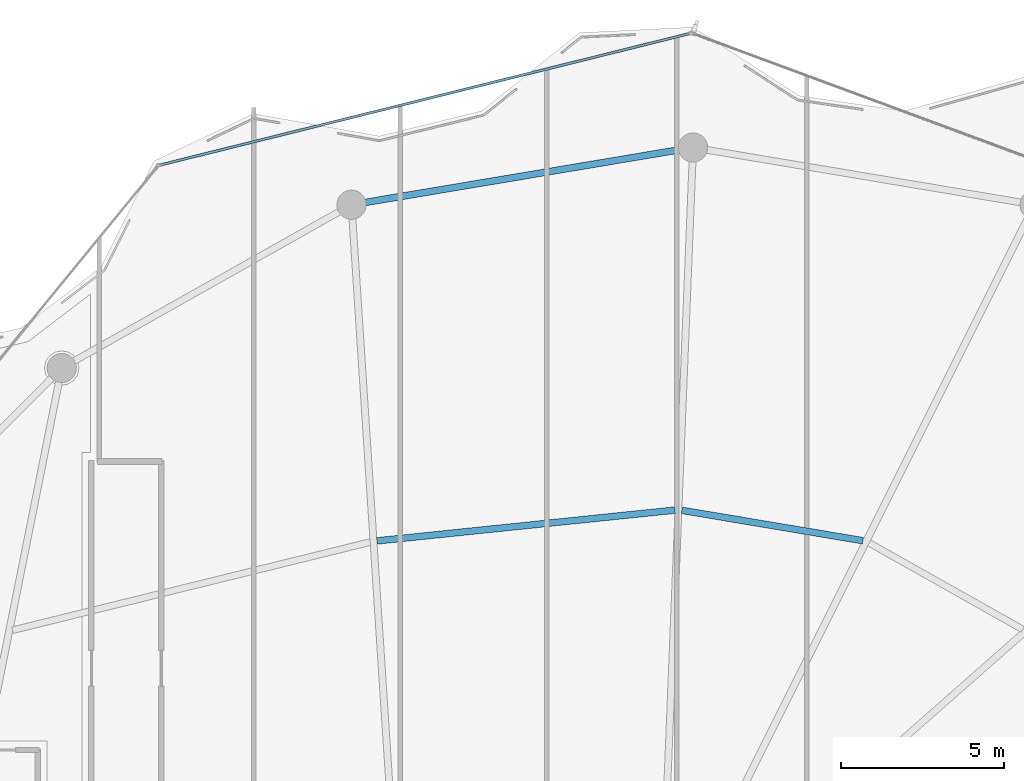
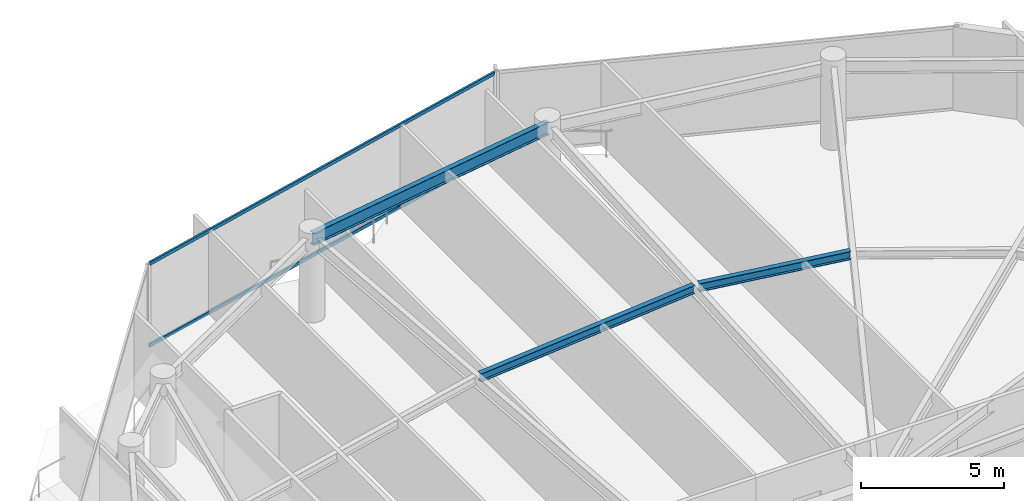
# One storey, part 20 of 29: 3 beams, 2 members, 1 element without a shape of its own.
"""IFC4 building model written with IfcOpenShell, lengths in metres."""

import ifcopenshell
import ifcopenshell.guid

model = None  # the IFC model being written
_history = None  # IfcOwnerHistory: only IFC2X3 demands one
_inside = {}  # id of a spatial element -> (the spatial element, [elements in it])
_under = {}  # id of a project, library or spatial element -> (it, [spatial elements below it])
_declared = {}  # id of a project -> (the project, [libraries it declares])
_typed = {}  # id of a type object -> (the type object, [elements of that type])
_made_of = {}  # id of a material, layer set ... -> (it, [elements and type objects made of it])


def new_model(schema):
    """Start an empty IFC model of exactly this schema.

    Asked for "IFC4X3", IfcOpenShell would pick the latest addendum, in which some entities
    have other attributes; the version numbers below select the first issue.
    IFC2X3 requires an IfcOwnerHistory on every rooted entity: one is made here for all.
    """
    global model, _history
    if schema == "IFC4X3":
        model = ifcopenshell.file(schema_version=(4, 3, 0, 0))
    else:
        model = ifcopenshell.file(schema=schema)
    _inside.clear()
    _under.clear()
    _declared.clear()
    _typed.clear()
    _made_of.clear()
    _history = None
    if model.schema == "IFC2X3":
        org = make("IfcOrganization", Name="unknown")
        user = make(
            "IfcPersonAndOrganization",
            ThePerson=make("IfcPerson", FamilyName="unknown"),
            TheOrganization=org,
        )
        app = make(
            "IfcApplication",
            ApplicationDeveloper=org,
            Version="unknown",
            ApplicationFullName="unknown",
            ApplicationIdentifier="unknown",
        )
        _history = make(
            "IfcOwnerHistory",
            OwningUser=user,
            OwningApplication=app,
            ChangeAction="ADDED",
            CreationDate=0,
        )
    return model


def make(cls, **values):
    """One entity of the class cls with the attributes given. An attribute that is None is left unset."""
    return model.create_entity(
        cls, **{name: value for name, value in values.items() if value is not None}
    )


def rooted(cls, **values):
    """An entity with a GlobalId (a new one), such as an element, a storey or a relation."""
    return make(cls, GlobalId=ifcopenshell.guid.new(), OwnerHistory=_history, **values)


def si_unit(unit_type, name, prefix=None):
    """IfcSIUnit, for example si_unit("LENGTHUNIT", "METRE", prefix="MILLI")."""
    return make("IfcSIUnit", UnitType=unit_type, Prefix=prefix, Name=name)


def assignment(units):
    """IfcUnitAssignment: the units of a project."""
    return None if units is None else make("IfcUnitAssignment", Units=units)


def point(xyz):
    """IfcCartesianPoint."""
    return None if xyz is None else make("IfcCartesianPoint", Coordinates=xyz)


def direction(xyz):
    """IfcDirection."""
    return None if xyz is None else make("IfcDirection", DirectionRatios=xyz)


def frame(location, z_axis=None, x_axis=None):
    """IfcAxis2Placement3D, a coordinate frame: its origin and axes. An axis left out is left unset."""
    return make(
        "IfcAxis2Placement3D",
        Location=point(location),
        Axis=direction(z_axis),
        RefDirection=direction(x_axis),
    )


def frame_2d(location, x_axis=None):
    """IfcAxis2Placement2D, a coordinate frame in the plane: its origin and x axis."""
    return make(
        "IfcAxis2Placement2D", Location=point(location), RefDirection=direction(x_axis)
    )


def origin():
    """The frame at (0, 0, 0) with its axes left unset."""
    return frame((0.0, 0.0, 0.0))


def origin_2d():
    """The frame at (0, 0) in the plane with its x axis left unset."""
    return frame_2d((0.0, 0.0))


def place(relative_to, where):
    """IfcLocalPlacement: puts the frame where relative to a parent placement (None: the world)."""
    return make(
        "IfcLocalPlacement", PlacementRelTo=relative_to, RelativePlacement=where
    )


def context(
    kind, dimensions, precision=None, world=None, true_north=None, identifier=None
):
    """IfcGeometricRepresentationContext, for example the 3D "Model" context."""
    return make(
        "IfcGeometricRepresentationContext",
        ContextIdentifier=identifier,
        ContextType=kind,
        CoordinateSpaceDimension=dimensions,
        Precision=precision,
        WorldCoordinateSystem=world,
        TrueNorth=true_north,
    )


def subcontext(parent, identifier, kind, view, scale=None):
    """IfcGeometricRepresentationSubContext, for example "Body" below "Model"."""
    return make(
        "IfcGeometricRepresentationSubContext",
        ContextIdentifier=identifier,
        ContextType=kind,
        ParentContext=parent,
        TargetScale=scale,
        TargetView=view,
    )


def project(units=None, contexts=None):
    """IfcProject with its units and contexts."""
    return rooted(
        "IfcProject",
        Name="project",
        RepresentationContexts=contexts,
        UnitsInContext=assignment(units),
    )


def spatial(cls, under=None, at=None, **own):
    """A site, building, storey or space (cls), placed at a placement, below another one or the project."""
    s = rooted(cls, ObjectPlacement=at, **own)
    if under is not None:
        _under.setdefault(under.id(), (under, []))[1].append(s)
    return s


def profile(cls, at=None, kind="AREA", **sizes):
    """A parametric profile (cls). Its sizes go by their IFC names, for example OverallWidth=200.0."""
    return make(cls, ProfileType=kind, Position=at, **sizes)


def hollow_rectangle(**sizes):
    """IfcRectangleHollowProfileDef."""
    return profile("IfcRectangleHollowProfileDef", **sizes)


def i_section(**sizes):
    """IfcIShapeProfileDef."""
    return profile("IfcIShapeProfileDef", **sizes)


def extrude(swept, where, along, depth):
    """IfcExtrudedAreaSolid: the profile swept, set in the frame where, extruded along a direction by depth."""
    return make(
        "IfcExtrudedAreaSolid",
        SweptArea=swept,
        Position=where,
        ExtrudedDirection=direction(along),
        Depth=depth,
    )


def shape(context_of_items, identifier, shape_type, items):
    """IfcShapeRepresentation: the items that make up one representation, for example the "Body"."""
    return make(
        "IfcShapeRepresentation",
        ContextOfItems=context_of_items,
        RepresentationIdentifier=identifier,
        RepresentationType=shape_type,
        Items=items,
    )


def material(Name=None, Category=None):
    """IfcMaterial."""
    return make("IfcMaterial", Name=Name, Category=Category)


def layer(
    of_material, thickness, ventilated=None, Name=None, Category=None, Priority=None
):
    """IfcMaterialLayer: one layer of a wall or slab, of a material (None: an air gap)."""
    return make(
        "IfcMaterialLayer",
        Material=of_material,
        LayerThickness=thickness,
        IsVentilated=ventilated,
        Name=Name,
        Category=Category,
        Priority=Priority,
    )


def layer_set(layers, Name=None):
    """IfcMaterialLayerSet."""
    return make("IfcMaterialLayerSet", MaterialLayers=layers, LayerSetName=Name)


def material_profile(
    of_material, cross_section, Name=None, Category=None, Priority=None
):
    """IfcMaterialProfile: a cross section and its material."""
    return make(
        "IfcMaterialProfile",
        Name=Name,
        Material=of_material,
        Profile=cross_section,
        Priority=Priority,
        Category=Category,
    )


def profile_set(profiles, Name=None, composite=None):
    """IfcMaterialProfileSet."""
    return make(
        "IfcMaterialProfileSet",
        Name=Name,
        MaterialProfiles=profiles,
        CompositeProfile=composite,
    )


def made_of(thing, what):
    """Note that an element or type object is made of a material, layer set ...; save() writes the relation."""
    if what is not None:
        _made_of.setdefault(what.id(), (what, []))[1].append(thing)
    return thing


def type_object(cls, material=None, **own):
    """A type object (cls), such as IfcWallType, which elements share."""
    return made_of(rooted(cls, **own), material)


def element(
    cls,
    number,
    at=None,
    inside=None,
    cuts=None,
    type_object=None,
    material=None,
    context=None,
    identifier="Body",
    shape_type=None,
    held_by="IfcProductDefinitionShape",
    body=None,
    shapes=None,
    **own,
):
    """One element of the class cls, such as IfcWall. Its Tag is "e" and its number.

    at: its placement. inside: the storey or other place that contains it. cuts: it is an
    opening in that element (IfcRelVoidsElement). A single representation is given by context,
    identifier, shape_type and body (its items); several are given by shapes. held_by: the class
    of the entity that holds the representations. save() writes the other relations.
    """
    e = rooted(cls, Tag="e%d" % number, ObjectPlacement=at, **own)
    if body is not None:
        shapes = [shape(context, identifier, shape_type, body)]
    if shapes is not None:
        e.Representation = make(held_by, Representations=shapes)
    if inside is not None:
        _inside.setdefault(inside.id(), (inside, []))[1].append(e)
    if cuts is not None:
        rooted(
            "IfcRelVoidsElement", RelatingBuildingElement=cuts, RelatedOpeningElement=e
        )
    if type_object is not None:
        _typed.setdefault(type_object.id(), (type_object, []))[1].append(e)
    return made_of(e, material)


def aggregate(whole, parts):
    """IfcRelAggregates: a whole, such as a stair, and the parts it consists of."""
    return rooted("IfcRelAggregates", RelatingObject=whole, RelatedObjects=parts)


def save(model, path):
    """Write the relations noted so far, then the file.

    IfcRelAggregates (storeys below a building ...), IfcRelContainedInSpatialStructure (elements
    in a storey), IfcRelDefinesByType, IfcRelAssociatesMaterial and IfcRelDeclares: one each for
    every whole, place, type object, material and project.
    """
    for whole, parts in _under.values():
        aggregate(whole, parts)
    for where, things in _inside.values():
        rooted(
            "IfcRelContainedInSpatialStructure",
            RelatedElements=things,
            RelatingStructure=where,
        )
    for kind, things in _typed.values():
        rooted("IfcRelDefinesByType", RelatedObjects=things, RelatingType=kind)
    for what, things in _made_of.values():
        rooted("IfcRelAssociatesMaterial", RelatedObjects=things, RelatingMaterial=what)
    for by, libraries in _declared.values():
        rooted("IfcRelDeclares", RelatingContext=by, RelatedDefinitions=libraries)
    model.write(path)


model = new_model("IFC4")

# Units and contexts
model_context = context("Model", 3, precision=1e-05, world=origin(), true_north=direction((0.0, 1.0)))
body_context = subcontext(model_context, "Body", "Model", "MODEL_VIEW")
ifc_project = project(units=[si_unit("LENGTHUNIT", "METRE"), si_unit("AREAUNIT", "SQUARE_METRE"), si_unit("VOLUMEUNIT", "CUBIC_METRE"), si_unit("PLANEANGLEUNIT", "RADIAN"), si_unit("MASSUNIT", "GRAM", prefix="KILO")], contexts=[model_context])

# Site, building, storey
site_placement = place(None, origin())
site = spatial("IfcSite", under=ifc_project, at=site_placement, CompositionType="ELEMENT")
building_placement = place(site_placement, origin())
building = spatial("IfcBuilding", under=site, at=building_placement, Name="Kazevale Care Tower and Concert Hall", CompositionType="ELEMENT")
storey_placement = place(building_placement, frame((0.0, 0.0, 281.39990234375)))
storey = spatial("IfcBuildingStorey", under=building, at=storey_placement, Name="L74", CompositionType="ELEMENT", Elevation=281.39990234375)

# Curtain wall, members
ifc_material_1 = material(Name="Aluminium 6063-T6 and Low-E Glass", Category="aluminium")
ifc_layer = layer(ifc_material_1, 0.179931640625)
ifc_layer_set = layer_set([ifc_layer], Name="Aluminium 6063-T6 and Low-E Glass")
curtain_wall_type = type_object("IfcCurtainWallType", Name="Waist & Upper Residential Curtain Wall CW-4", PredefinedType="NOTDEFINED", material=ifc_layer_set)
curtain_wall_placement = place(storey_placement, origin())
curtain_wall = element("IfcCurtainWall", 1, at=curtain_wall_placement, inside=storey, type_object=curtain_wall_type, Name="cw:L74:f15", PredefinedType="NOTDEFINED")
ifc_material_2 = material(Name="Aluminium 6063-T6", Category="aluminium")
ifc_material_profile_1 = material_profile(ifc_material_2, hollow_rectangle(XDim=0.080078125, YDim=0.139892578125, WallThickness=0.00390625, at=origin_2d()), Name="ALU80x140x4")
ifc_profile_set_1 = profile_set([ifc_material_profile_1], Name="Aluminium 6063-T6")
member_type = type_object("IfcMemberType", Name="CW-4 Transom ALU80x140x4", PredefinedType="USERDEFINED", material=ifc_profile_set_1)
member_1_placement = place(storey_placement, frame((28.638671875, 60.6181640625, 0.0400390625), z_axis=(0.970550647027, 0.240897159709, 0.0), x_axis=(-0.240897159709, 0.970550647027, 0.0)))
member_1 = element("IfcMember", 2, at=member_1_placement, type_object=member_type, Name="CW-4 transom 1.1", ObjectType="TRANSOM", PredefinedType="USERDEFINED", context=body_context, shape_type="SweptSolid", body=[
    extrude(hollow_rectangle(XDim=0.080078125, YDim=0.139892578125, WallThickness=0.00390625, at=origin_2d()), origin(), (0.0, 0.0, 1.0), 16.727294921875),
])
member_2_placement = place(storey_placement, frame((28.638671875, 60.6181640625, 3.52001953125), z_axis=(0.970550647027, 0.240897159709, 0.0), x_axis=(-0.240897159709, 0.970550647027, 0.0)))
member_2 = element("IfcMember", 3, at=member_2_placement, type_object=member_type, Name="CW-4 transom 1.2", ObjectType="TRANSOM", PredefinedType="USERDEFINED", context=body_context, shape_type="SweptSolid", body=[
    extrude(hollow_rectangle(XDim=0.080078125, YDim=0.139892578125, WallThickness=0.00390625, at=origin_2d()), origin(), (0.0, 0.0, 1.0), 16.727294921875),
])
aggregate(curtain_wall, [member_1, member_2])

# Beams
ifc_material_3 = material(Name="Steel ASTM A572 Gr 50", Category="steel")
ifc_material_profile_2 = material_profile(ifc_material_3, i_section(OverallWidth=0.205078125, OverallDepth=0.35400390625, WebThickness=0.009521484375, FlangeThickness=0.016845703125, at=origin_2d()), Name="W360x79")
ifc_profile_set_2 = profile_set([ifc_material_profile_2], Name="Steel ASTM A572 Gr 50")
beam_type_1 = type_object("IfcBeamType", Name="Secondary Floor Joist W360x79", PredefinedType="JOIST", material=ifc_profile_set_2)
beam_1_placement = place(storey_placement, frame((50.220947265625, 49.06201171875, 3.383056640625), z_axis=(-0.986241534462, 0.165310724705, 0.0), x_axis=(-0.165310724705, -0.986241534462, 0.0)))
element("IfcBeam", 4, at=beam_1_placement, inside=storey, type_object=beam_type_1, Name="beam:L74:joist:04", PredefinedType="JOIST", context=body_context, shape_type="SweptSolid", body=[
    extrude(i_section(OverallWidth=0.205078125, OverallDepth=0.35400390625, WebThickness=0.009521484375, FlangeThickness=0.016845703125, at=origin_2d()), origin(), (0.0, 0.0, 1.0), 5.64453125),
])
beam_2_placement = place(storey_placement, frame((44.446044921875, 50.001953125, 3.383056640625), z_axis=(-0.994706089671, -0.10276086401, 0.0), x_axis=(0.10276086401, -0.994706089671, 0.0)))
element("IfcBeam", 5, at=beam_2_placement, inside=storey, type_object=beam_type_1, Name="beam:L74:joist:05", PredefinedType="JOIST", context=body_context, shape_type="SweptSolid", body=[
    extrude(i_section(OverallWidth=0.205078125, OverallDepth=0.35400390625, WebThickness=0.009521484375, FlangeThickness=0.016845703125, at=origin_2d()), origin(), (0.0, 0.0, 1.0), 9.2158203125),
])
ifc_material_profile_3 = material_profile(ifc_material_3, i_section(OverallWidth=0.208984375, OverallDepth=0.532958984375, WebThickness=0.01025390625, FlangeThickness=0.015625, at=origin_2d()), Name="W530x92")
ifc_profile_set_3 = profile_set([ifc_material_profile_3], Name="Steel ASTM A572 Gr 50")
beam_type_2 = type_object("IfcBeamType", Name="Upper Ring Beam W530x92", PredefinedType="BEAM", material=ifc_profile_set_3)
beam_3_placement = place(storey_placement, frame((45.0, 61.14990234375, 3.293701171875), z_axis=(-0.986241035683, -0.165313700387, 0.0), x_axis=(0.165313700387, -0.986241035683, 0.0)))
element("IfcBeam", 6, at=beam_3_placement, inside=storey, type_object=beam_type_2, Name="beam:L74:ring:05", PredefinedType="BEAM", context=body_context, shape_type="SweptSolid", body=[
    extrude(i_section(OverallWidth=0.208984375, OverallDepth=0.532958984375, WebThickness=0.01025390625, FlangeThickness=0.015625, at=origin_2d()), origin(), (0.0, 0.0, 1.0), 10.646484375),
])

save(model, "model.ifc")
